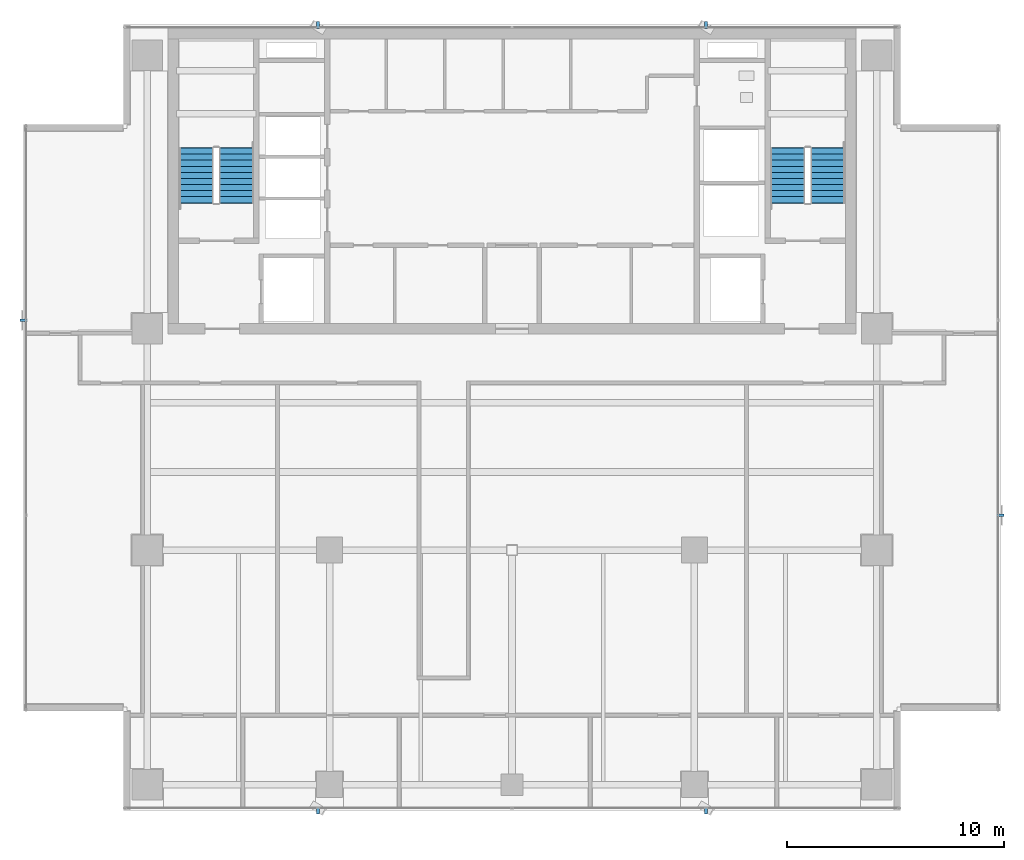
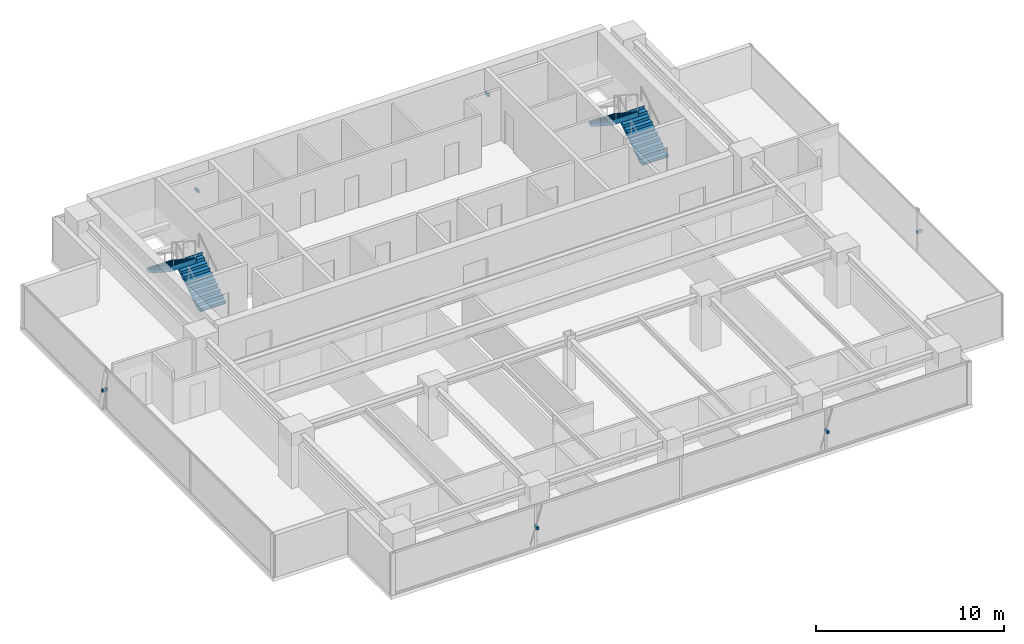
# One storey, part 22 of 27: 6 discrete accessories, 4 stair flights, 2 elements without a shape of their own.
"""IFC4 building model written with IfcOpenShell, lengths in metres."""

from ifc_helpers import new_model, si_unit, direction, frame, origin, origin_2d, place, context, subcontext, project, spatial, polyline, rectangle, outline, extrude, source, transform, mapped, material, material_profile, profile_set, type_object, element, aggregate, save


model = new_model("IFC4")

# Units and contexts
model_context = context("Model", 3, precision=1e-05, world=origin(), true_north=direction((0.0, 1.0)))
body_context = subcontext(model_context, "Body", "Model", "MODEL_VIEW")
ifc_project = project(units=[si_unit("LENGTHUNIT", "METRE"), si_unit("AREAUNIT", "SQUARE_METRE"), si_unit("VOLUMEUNIT", "CUBIC_METRE"), si_unit("PLANEANGLEUNIT", "RADIAN"), si_unit("MASSUNIT", "GRAM", prefix="KILO")], contexts=[model_context])

# Site, building, storey
site_placement = place(None, origin())
site = spatial("IfcSite", under=ifc_project, at=site_placement, CompositionType="ELEMENT")
building_placement = place(site_placement, origin())
building = spatial("IfcBuilding", under=site, at=building_placement, Name="Sumidabori Civic Tower", CompositionType="ELEMENT")
storey_placement = place(building_placement, frame((0.0, 0.0, 257.60009765625)))
storey = spatial("IfcBuildingStorey", under=building, at=storey_placement, Name="L67", CompositionType="ELEMENT", Elevation=257.60009765625)

# Stair, stair flights
ifc_material_1 = material(Name="Concrete C40/50", Category="concrete")
stair_type = type_object("IfcStairType", Name="ST-CORE-1600", PredefinedType="HALF_TURN_STAIR", material=ifc_material_1)
stair_1_placement = place(storey_placement, origin())
stair_1 = element("IfcStair", 1, at=stair_1_placement, inside=storey, type_object=stair_type, Name="L67 ST-1", PredefinedType="HALF_TURN_STAIR")
stair_flight_type = type_object("IfcStairFlightType", Name="SF-CORE-1600", PredefinedType="STRAIGHT", material=ifc_material_1)
shared_shape_1 = source(origin(), body_context, "Body", "SweptSolid", [
    extrude(outline(polyline([(-0.02490234375, 0.0), (-0.02490234375, 0.0400390625), (0.0, 0.0400390625), (0.0, 0.179931640625), (0.280029296875, 0.179931640625), (0.280029296875, 0.360107421875), (0.56005859375, 0.360107421875), (0.56005859375, 0.5400390625), (0.840087890625, 0.5400390625), (0.840087890625, 0.719970703125), (1.1201171875, 0.719970703125), (1.1201171875, 0.89990234375), (1.39990234375, 0.89990234375), (1.39990234375, 1.080078125), (1.679931640625, 1.080078125), (1.679931640625, 1.260009765625), (1.9599609375, 1.260009765625), (1.9599609375, 1.43994140625), (2.239990234375, 1.43994140625), (2.239990234375, 1.6201171875), (2.52001953125, 1.6201171875), (2.52001953125, 1.800048828125), (2.544921875, 1.800048828125), (2.544921875, 1.650146484375), (2.52001953125, 1.44189453125), (0.277099609375, 0.0), (-0.02490234375, 0.0)])), frame((0.0, 0.800048828125, 0.0), z_axis=(0.0, -1.0, 0.0), x_axis=(1.0, 0.0, 0.0)), (0.0, 0.0, 1.0), 1.60009765625),
])
stair_flight_1_placement = place(storey_placement, frame((-12.699951171875, 16.0, 0.0), z_axis=(0.0, 0.0, 1.0), x_axis=(0.0, 1.0, 0.0)))
stair_flight_1 = element("IfcStairFlight", 2, at=stair_flight_1_placement, type_object=stair_flight_type, Name="ST-1 flight 1", NumberOfRisers=10, NumberOfTreads=9, PredefinedType="STRAIGHT", RiserHeight=0.18, TreadLength=0.28, context=body_context, shape_type="MappedRepresentation", body=[
    mapped(shared_shape_1, transform((0.0, 0.0, 0.0), x_axis=(1.0, 0.0, 0.0), y_axis=(0.0, 1.0, 0.0), z_axis=(0.0, 0.0, 1.0), scale=1.0)),
])
stair_flight_2_placement = place(storey_placement, frame((-14.5400390625, 18.52001953125, 1.7998046875), z_axis=(0.0, 0.0, 1.0), x_axis=(0.0, -1.0, 0.0)))
stair_flight_2 = element("IfcStairFlight", 3, at=stair_flight_2_placement, type_object=stair_flight_type, Name="ST-1 flight 2", NumberOfRisers=10, NumberOfTreads=9, PredefinedType="STRAIGHT", RiserHeight=0.18, TreadLength=0.28, context=body_context, shape_type="MappedRepresentation", body=[
    mapped(shared_shape_1, transform((0.0, 0.0, 0.0), x_axis=(1.0, 0.0, 0.0), y_axis=(0.0, 1.0, 0.0), z_axis=(0.0, 0.0, 1.0), scale=1.0)),
])
aggregate(stair_1, [stair_flight_1, stair_flight_2])

stair_2_placement = place(storey_placement, origin())
stair_2 = element("IfcStair", 4, at=stair_2_placement, inside=storey, type_object=stair_type, Name="L67 ST-2", PredefinedType="HALF_TURN_STAIR")
stair_flight_3_placement = place(storey_placement, frame((14.5400390625, 16.0, 0.0), z_axis=(0.0, 0.0, 1.0), x_axis=(0.0, 1.0, 0.0)))
stair_flight_3 = element("IfcStairFlight", 5, at=stair_flight_3_placement, type_object=stair_flight_type, Name="ST-2 flight 1", NumberOfRisers=10, NumberOfTreads=9, PredefinedType="STRAIGHT", RiserHeight=0.18, TreadLength=0.28, context=body_context, shape_type="MappedRepresentation", body=[
    mapped(shared_shape_1, transform((0.0, 0.0, 0.0), x_axis=(1.0, 0.0, 0.0), y_axis=(0.0, 1.0, 0.0), z_axis=(0.0, 0.0, 1.0), scale=1.0)),
])
stair_flight_4_placement = place(storey_placement, frame((12.699951171875, 18.52001953125, 1.7998046875), z_axis=(0.0, 0.0, 1.0), x_axis=(0.0, -1.0, 0.0)))
stair_flight_4 = element("IfcStairFlight", 6, at=stair_flight_4_placement, type_object=stair_flight_type, Name="ST-2 flight 2", NumberOfRisers=10, NumberOfTreads=9, PredefinedType="STRAIGHT", RiserHeight=0.18, TreadLength=0.28, context=body_context, shape_type="MappedRepresentation", body=[
    mapped(shared_shape_1, transform((0.0, 0.0, 0.0), x_axis=(1.0, 0.0, 0.0), y_axis=(0.0, 1.0, 0.0), z_axis=(0.0, 0.0, 1.0), scale=1.0)),
])
aggregate(stair_2, [stair_flight_3, stair_flight_4])

# Discrete accessories
ifc_material_2 = material(Name="Stainless Steel Hairline Finish", Category="steel")
ifc_material_profile = material_profile(ifc_material_2, rectangle(XDim=0.1201171875, YDim=0.179931640625, at=origin_2d()), Name="STEEL BRACKET 180x120")
ifc_profile_set = profile_set([ifc_material_profile], Name="Stainless Steel Hairline Finish")
discrete_accessory_type = type_object("IfcDiscreteAccessoryType", Name="AC-BRK-180", PredefinedType="BRACKET", material=ifc_profile_set)
shared_shape_2 = source(origin(), body_context, "Body", "SweptSolid", [
    extrude(rectangle(XDim=0.1201171875, YDim=0.179931640625, at=origin_2d()), origin(), (0.0, 0.0, 1.0), 0.329833984375),
])
for number, where, z_axis, x_axis, name in (
    (7, (-8.93505859375, -11.830078125, 1.364990234375), (0.0, -1.0, 0.0), (1.0, 0.0, 0.0), "Bronze Fin Fixing Bracket L67-01"),
    (8, (8.93505859375, -11.830078125, 1.364990234375), (0.0, -1.0, 0.0), (1.0, 0.0, 0.0), "Bronze Fin Fixing Bracket L67-03"),
    (9, (22.330078125, 1.610107421875, 1.364990234375), (1.0, 0.0, 0.0), (0.0, 1.0, 0.0), "Bronze Fin Fixing Bracket L67-01"),
    (10, (-22.330078125, 10.590087890625, 1.364990234375), (-1.0, 0.0, 0.0), (0.0, -1.0, 0.0), "Bronze Fin Fixing Bracket L67-01"),
):
    element("IfcDiscreteAccessory", number, at=place(storey_placement, frame(where, z_axis=z_axis, x_axis=x_axis)), inside=storey, type_object=discrete_accessory_type, Name=name, PredefinedType="BRACKET", context=body_context, shape_type="MappedRepresentation", body=[
        mapped(shared_shape_2, transform((0.0, 0.0, 0.0), x_axis=(1.0, 0.0, 0.0), y_axis=(0.0, 1.0, 0.0), z_axis=(0.0, 0.0, 1.0), scale=1.0)),
    ])
shared_shape_3 = source(origin(), body_context, "Body", "SweptSolid", [
    extrude(rectangle(XDim=0.1201171875, YDim=0.179931640625, at=origin_2d()), origin(), (0.0, 0.0, 1.0), 0.330078125),
])
for number, where, z_axis, x_axis, name in (
    (11, (8.93505859375, 24.030029296875, 1.364990234375), (0.0, 1.0, 0.0), (-1.0, 0.0, 0.0), "Bronze Fin Fixing Bracket L67-01"),
    (12, (-8.93505859375, 24.030029296875, 1.364990234375), (0.0, 1.0, 0.0), (-1.0, 0.0, 0.0), "Bronze Fin Fixing Bracket L67-03"),
):
    element("IfcDiscreteAccessory", number, at=place(storey_placement, frame(where, z_axis=z_axis, x_axis=x_axis)), inside=storey, type_object=discrete_accessory_type, Name=name, PredefinedType="BRACKET", context=body_context, shape_type="MappedRepresentation", body=[
        mapped(shared_shape_3, transform((0.0, 0.0, 0.0), x_axis=(1.0, 0.0, 0.0), y_axis=(0.0, 1.0, 0.0), z_axis=(0.0, 0.0, 1.0), scale=1.0)),
    ])

save(model, "model.ifc")
